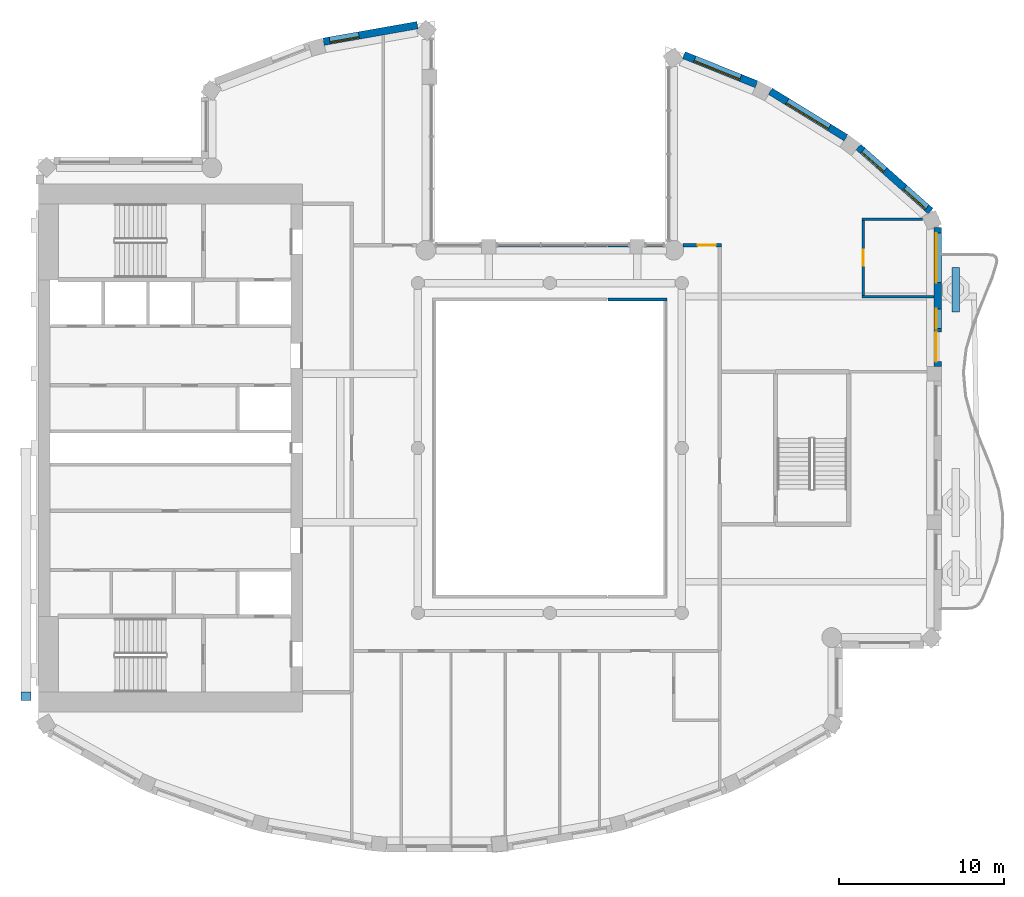
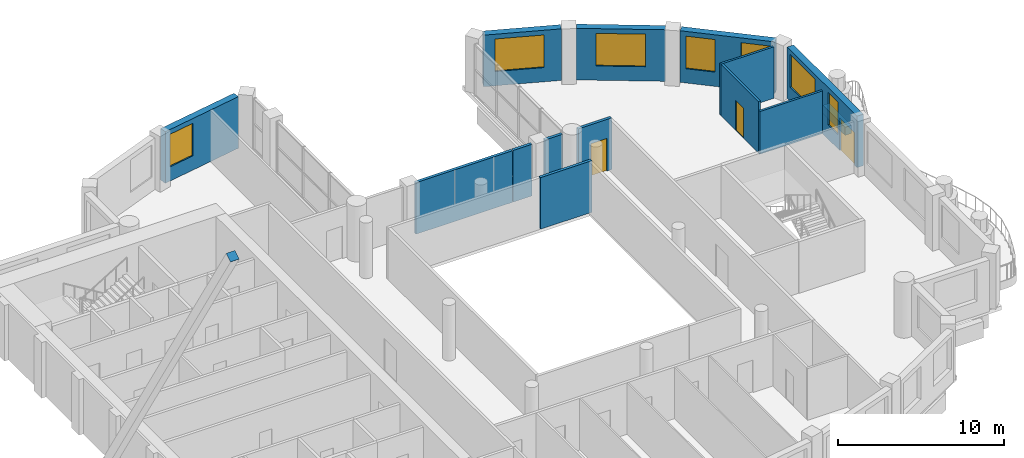
# One storey, part 7 of 15: 14 walls, 7 windows, 3 doors, 1 discrete accessory, 10 openings.
"""IFC4 building model written with IfcOpenShell, lengths in metres."""

from ifc_helpers import new_model, si_unit, direction, frame, frame_2d, origin, origin_2d, place, context, subcontext, project, spatial, rectangle, extrude, material, layer, layer_set, material_profile, profile_set, type_object, element, fill, save


model = new_model("IFC4")

# Units and contexts
model_context = context("Model", 3, precision=1e-05, world=origin(), true_north=direction((0.0, 1.0)))
body_context = subcontext(model_context, "Body", "Model", "MODEL_VIEW")
ifc_project = project(units=[si_unit("LENGTHUNIT", "METRE"), si_unit("AREAUNIT", "SQUARE_METRE"), si_unit("VOLUMEUNIT", "CUBIC_METRE"), si_unit("PLANEANGLEUNIT", "RADIAN"), si_unit("MASSUNIT", "GRAM", prefix="KILO")], contexts=[model_context])

# Site, building, storey
site_placement = place(None, origin())
site = spatial("IfcSite", under=ifc_project, at=site_placement, CompositionType="ELEMENT")
building_placement = place(site_placement, origin())
building = spatial("IfcBuilding", under=site, at=building_placement, Name="Cypress Arch Tower", CompositionType="ELEMENT")
storey_placement = place(building_placement, frame((0.0, 0.0, 313.10009765625)))
storey = spatial("IfcBuildingStorey", under=building, at=storey_placement, Name="L71", CompositionType="ELEMENT", Elevation=313.10009765625)

# Wall
ifc_material_1 = material(Name="Concrete C40/50, waterproofed", Category="concrete")
ifc_layer_1 = layer(ifc_material_1, 0.449951171875)
ifc_layer_set_1 = layer_set([ifc_layer_1], Name="Balcony planter wall PW450")
wall_type_1 = type_object("IfcWallType", Name="Balcony planter wall PW450", PredefinedType="SOLIDWALL", material=ifc_layer_set_1)
wall_1_placement = place(storey_placement, frame((25.60009765625, 8.25, 0.0), z_axis=(0.0, 0.0, 1.0), x_axis=(0.0, 1.0, 0.0)))
element("IfcWall", 1, at=wall_1_placement, inside=storey, type_object=wall_type_1, Name="Balcony planter wall L71-C17.3", PredefinedType="SOLIDWALL", context=body_context, shape_type="SweptSolid", body=[
    extrude(rectangle(XDim=2.699951171875, YDim=0.449951171875, at=frame_2d((1.35009765625, 0.0))), origin(), (0.0, 0.0, 1.0), 0.599853515625),
])

# Wall, opening, window
ifc_material_2 = material(Name="Brick (red buff blend)", Category="masonry")
ifc_layer_2 = layer(ifc_material_2, 0.449951171875)
ifc_layer_set_2 = layer_set([ifc_layer_2], Name="Brick pier and spandrel wall BW450")
wall_type_2 = type_object("IfcWallType", Name="Brick pier and spandrel wall BW450", PredefinedType="SOLIDWALL", material=ifc_layer_set_2)
wall_2_placement = place(storey_placement, frame((-7.028564453125, 25.63232421875, 0.0), z_axis=(0.0, 0.0, 1.0), x_axis=(-0.984797606634, -0.173705710808, 0.0)))
wall_2 = element("IfcWall", 2, at=wall_2_placement, inside=storey, type_object=wall_type_2, Name="Brick wall L71 C03.0", PredefinedType="SOLIDWALL", context=body_context, shape_type="SweptSolid", body=[
    extrude(rectangle(XDim=5.772216796875, YDim=0.449951171875, at=frame_2d((2.88623046875, 0.0))), origin(), (0.0, 0.0, 1.0), 3.7998046875),
])
opening_1_placement = place(wall_2_placement, frame((3.59326171875, 0.0, 1.050048828125)))
opening_1 = element("IfcOpeningElement", 3, at=opening_1_placement, cuts=wall_2, Name="Opening W180O", PredefinedType="OPENING", context=body_context, shape_type="SweptSolid", body=[
    extrude(rectangle(XDim=1.800048828125, YDim=2.39990234375, at=frame_2d((0.89990234375, 1.199951171875))), frame((0.0, 0.23486328125, 0.0), z_axis=(0.0, -1.0, 0.0), x_axis=(1.0, 0.0, 0.0)), (0.0, 0.0, 1.0), 0.469970703125),
])
ifc_material_3 = material(Name="Anodised aluminium, bronze finish, clear low-emissivity double glazing", Category="aluminium")
window_type_1 = type_object("IfcWindowType", Name="Window Office 1800x2400", PartitioningType="SINGLE_PANEL", PredefinedType="WINDOW", material=ifc_material_3)
window_1_placement = place(opening_1_placement, origin())
window_1 = element("IfcWindow", 4, at=window_1_placement, inside=storey, type_object=window_type_1, Name="Window L71 C03.0.2", OverallHeight=2.39990234375, OverallWidth=1.800048828125, PartitioningType="SINGLE_PANEL", PredefinedType="WINDOW", context=body_context, shape_type="SweptSolid", body=[
    extrude(rectangle(XDim=1.800048828125, YDim=2.39990234375, at=frame_2d((0.89990234375, 1.199951171875))), frame((0.0, 0.135009765625, 0.0), z_axis=(0.0, -1.0, 0.0), x_axis=(1.0, 0.0, 0.0)), (0.0, 0.0, 1.0), 0.06005859375),
])
fill(opening_1, window_1)

# Wall, openings, door, windows
wall_3_placement = place(storey_placement, frame((24.52490234375, 4.949951171875, 0.0), z_axis=(0.0, 0.0, 1.0), x_axis=(0.0, 1.0, 0.0)))
wall_3 = element("IfcWall", 5, at=wall_3_placement, inside=storey, type_object=wall_type_2, Name="Brick wall L71 C17.2", PredefinedType="SOLIDWALL", context=body_context, shape_type="SweptSolid", body=[
    extrude(rectangle(XDim=8.421875, YDim=0.449951171875, at=frame_2d((4.2109375, 0.0))), origin(), (0.0, 0.0, 1.0), 3.7998046875),
])
opening_2_placement = place(wall_3_placement, frame((0.291259765625, 0.0, 0.0)))
opening_2 = element("IfcOpeningElement", 6, at=opening_2_placement, cuts=wall_3, Name="Opening D-L71-C17.2.1", PredefinedType="OPENING", context=body_context, shape_type="SweptSolid", body=[
    extrude(rectangle(XDim=1.800048828125, YDim=2.39990234375, at=frame_2d((0.89990234375, 1.199951171875))), frame((0.0, 0.23486328125, 0.0), z_axis=(0.0, -1.0, 0.0), x_axis=(1.0, 0.0, 0.0)), (0.0, 0.0, 1.0), 0.469970703125),
])
opening_3_placement = place(wall_3_placement, frame((2.291259765625, 0.0, 1.050048828125)))
opening_3 = element("IfcOpeningElement", 7, at=opening_3_placement, cuts=wall_3, Name="Opening W120OD", PredefinedType="OPENING", context=body_context, shape_type="SweptSolid", body=[
    extrude(rectangle(XDim=1.199951171875, YDim=2.39990234375, at=frame_2d((0.60009765625, 1.199951171875))), frame((0.0, 0.23486328125, 0.0), z_axis=(0.0, -1.0, 0.0), x_axis=(1.0, 0.0, 0.0)), (0.0, 0.0, 1.0), 0.469970703125),
])
opening_4_placement = place(wall_3_placement, frame((5.073974609375, 0.0, 1.050048828125)))
opening_4 = element("IfcOpeningElement", 8, at=opening_4_placement, cuts=wall_3, Name="Opening W300OD", PredefinedType="OPENING", context=body_context, shape_type="SweptSolid", body=[
    extrude(rectangle(XDim=3.0, YDim=2.39990234375, at=frame_2d((1.5, 1.199951171875))), frame((0.0, 0.23486328125, 0.0), z_axis=(0.0, -1.0, 0.0), x_axis=(1.0, 0.0, 0.0)), (0.0, 0.0, 1.0), 0.469970703125),
])
ifc_material_4 = material(Name="Anodised aluminium, bronze finish, laminated low-emissivity double glazing, large-missile impact rated", Category="aluminium")
door_type_1 = type_object("IfcDoorType", Name="Balcony sliding door 1800x2400", OperationType="SLIDING_TO_LEFT", PredefinedType="DOOR", material=ifc_material_4)
door_1_placement = place(opening_2_placement, origin())
door_1 = element("IfcDoor", 9, at=door_1_placement, inside=storey, type_object=door_type_1, Name="Balcony door L71 C17.2.1", OperationType="SLIDING_TO_LEFT", OverallHeight=2.39990234375, OverallWidth=1.800048828125, PredefinedType="DOOR", context=body_context, shape_type="SweptSolid", body=[
    extrude(rectangle(XDim=1.800048828125, YDim=2.39990234375, at=frame_2d((0.89990234375, 1.199951171875))), frame((0.0, 0.1298828125, 0.0), z_axis=(0.0, -1.0, 0.0), x_axis=(1.0, 0.0, 0.0)), (0.0, 0.0, 1.0), 0.050048828125),
])
fill(opening_2, door_1)
ifc_material_5 = material(Name="Anodised aluminium, bronze finish, laminated low-emissivity double glazing, large-missile impact rated", Category="aluminium")
window_type_2 = type_object("IfcWindowType", Name="Window Office 1200x2400 debris-rated", PartitioningType="SINGLE_PANEL", PredefinedType="WINDOW", material=ifc_material_5)
window_2_placement = place(opening_3_placement, origin())
window_2 = element("IfcWindow", 10, at=window_2_placement, inside=storey, type_object=window_type_2, Name="Window L71 C17.2.1", OverallHeight=2.39990234375, OverallWidth=1.199951171875, PartitioningType="SINGLE_PANEL", PredefinedType="WINDOW", context=body_context, shape_type="SweptSolid", body=[
    extrude(rectangle(XDim=1.199951171875, YDim=2.39990234375, at=frame_2d((0.60009765625, 1.199951171875))), frame((0.0, 0.135009765625, 0.0), z_axis=(0.0, -1.0, 0.0), x_axis=(1.0, 0.0, 0.0)), (0.0, 0.0, 1.0), 0.06005859375),
])
fill(opening_3, window_2)
ifc_material_6 = material(Name="Anodised aluminium, bronze finish, laminated low-emissivity double glazing, large-missile impact rated", Category="aluminium")
window_type_3 = type_object("IfcWindowType", Name="Window Office 3000x2400 debris-rated", PartitioningType="SINGLE_PANEL", PredefinedType="WINDOW", material=ifc_material_6)
window_3_placement = place(opening_4_placement, origin())
window_3 = element("IfcWindow", 11, at=window_3_placement, inside=storey, type_object=window_type_3, Name="Window L71 C17.2.2", OverallHeight=2.39990234375, OverallWidth=3.0, PartitioningType="SINGLE_PANEL", PredefinedType="WINDOW", context=body_context, shape_type="SweptSolid", body=[
    extrude(rectangle(XDim=3.0, YDim=2.39990234375, at=frame_2d((1.5, 1.199951171875))), frame((0.0, 0.135009765625, 0.0), z_axis=(0.0, -1.0, 0.0), x_axis=(1.0, 0.0, 0.0)), (0.0, 0.0, 1.0), 0.06005859375),
])
fill(opening_4, window_3)

# Wall, openings, windows
wall_4_placement = place(storey_placement, frame((24.08056640625, 14.361083984375, 0.0), z_axis=(0.0, 0.0, 1.0), x_axis=(-0.747570482973, 0.664182484704, 0.0)))
wall_4 = element("IfcWall", 12, at=wall_4_placement, inside=storey, type_object=wall_type_2, Name="Brick wall L71 C18.0", PredefinedType="SOLIDWALL", context=body_context, shape_type="SweptSolid", body=[
    extrude(rectangle(XDim=5.849609375, YDim=0.449951171875, at=frame_2d((2.9248046875, 0.0))), origin(), (0.0, 0.0, 1.0), 3.7998046875),
])
opening_5_placement = place(wall_4_placement, frame((0.305419921875, 0.0, 1.050048828125)))
opening_5 = element("IfcOpeningElement", 13, at=opening_5_placement, cuts=wall_4, Name="Opening W180O", PredefinedType="OPENING", context=body_context, shape_type="SweptSolid", body=[
    extrude(rectangle(XDim=1.800048828125, YDim=2.39990234375, at=frame_2d((0.89990234375, 1.199951171875))), frame((0.0, 0.23486328125, 0.0), z_axis=(0.0, -1.0, 0.0), x_axis=(1.0, 0.0, 0.0)), (0.0, 0.0, 1.0), 0.469970703125),
])
opening_6_placement = place(wall_4_placement, frame((3.702880859375, 0.0, 1.050048828125)))
opening_6 = element("IfcOpeningElement", 14, at=opening_6_placement, cuts=wall_4, Name="Opening W180O", PredefinedType="OPENING", context=body_context, shape_type="SweptSolid", body=[
    extrude(rectangle(XDim=1.800048828125, YDim=2.39990234375, at=frame_2d((0.89990234375, 1.199951171875))), frame((0.0, 0.23486328125, 0.0), z_axis=(0.0, -1.0, 0.0), x_axis=(1.0, 0.0, 0.0)), (0.0, 0.0, 1.0), 0.469970703125),
])
window_4_placement = place(opening_5_placement, origin())
window_4 = element("IfcWindow", 15, at=window_4_placement, inside=storey, type_object=window_type_1, Name="Window L71 C18.0.1", OverallHeight=2.39990234375, OverallWidth=1.800048828125, PartitioningType="SINGLE_PANEL", PredefinedType="WINDOW", context=body_context, shape_type="SweptSolid", body=[
    extrude(rectangle(XDim=1.800048828125, YDim=2.39990234375, at=frame_2d((0.89990234375, 1.199951171875))), frame((0.0, 0.135009765625, 0.0), z_axis=(0.0, -1.0, 0.0), x_axis=(1.0, 0.0, 0.0)), (0.0, 0.0, 1.0), 0.06005859375),
])
fill(opening_5, window_4)
window_5_placement = place(opening_6_placement, origin())
window_5 = element("IfcWindow", 16, at=window_5_placement, inside=storey, type_object=window_type_1, Name="Window L71 C18.0.2", OverallHeight=2.39990234375, OverallWidth=1.800048828125, PartitioningType="SINGLE_PANEL", PredefinedType="WINDOW", context=body_context, shape_type="SweptSolid", body=[
    extrude(rectangle(XDim=1.800048828125, YDim=2.39990234375, at=frame_2d((0.89990234375, 1.199951171875))), frame((0.0, 0.135009765625, 0.0), z_axis=(0.0, -1.0, 0.0), x_axis=(1.0, 0.0, 0.0)), (0.0, 0.0, 1.0), 0.06005859375),
])
fill(opening_6, window_5)

# Wall, opening, window
wall_5_placement = place(storey_placement, frame((18.953369140625, 18.806396484375, 0.0), z_axis=(0.0, 0.0, 1.0), x_axis=(-0.851860664503, 0.523768468193, 0.0)))
wall_5 = element("IfcWall", 17, at=wall_5_placement, inside=storey, type_object=wall_type_2, Name="Brick wall L71 C19.0", PredefinedType="SOLIDWALL", context=body_context, shape_type="SweptSolid", body=[
    extrude(rectangle(XDim=5.3837890625, YDim=0.449951171875, at=frame_2d((2.69189453125, 0.0))), origin(), (0.0, 0.0, 1.0), 3.7998046875),
])
opening_7_placement = place(wall_5_placement, frame((1.19189453125, 0.0, 1.050048828125)))
opening_7 = element("IfcOpeningElement", 18, at=opening_7_placement, cuts=wall_5, Name="Opening W300O", PredefinedType="OPENING", context=body_context, shape_type="SweptSolid", body=[
    extrude(rectangle(XDim=3.0, YDim=2.39990234375, at=frame_2d((1.5, 1.199951171875))), frame((0.0, 0.23486328125, 0.0), z_axis=(0.0, -1.0, 0.0), x_axis=(1.0, 0.0, 0.0)), (0.0, 0.0, 1.0), 0.469970703125),
])
ifc_material_7 = material(Name="Anodised aluminium, bronze finish, clear low-emissivity double glazing", Category="aluminium")
window_type_4 = type_object("IfcWindowType", Name="Window Office 3000x2400", PartitioningType="SINGLE_PANEL", PredefinedType="WINDOW", material=ifc_material_7)
window_6_placement = place(opening_7_placement, origin())
window_6 = element("IfcWindow", 19, at=window_6_placement, inside=storey, type_object=window_type_4, Name="Window L71 C19.0.1", OverallHeight=2.39990234375, OverallWidth=3.0, PartitioningType="SINGLE_PANEL", PredefinedType="WINDOW", context=body_context, shape_type="SweptSolid", body=[
    extrude(rectangle(XDim=3.0, YDim=2.39990234375, at=frame_2d((1.5, 1.199951171875))), frame((0.0, 0.135009765625, 0.0), z_axis=(0.0, -1.0, 0.0), x_axis=(1.0, 0.0, 0.0)), (0.0, 0.0, 1.0), 0.06005859375),
])
fill(opening_7, window_6)

wall_6_placement = place(storey_placement, frame((13.529296875, 22.04833984375, 0.0), z_axis=(0.0, 0.0, 1.0), x_axis=(-0.927957332619, 0.372686448424, 0.0)))
wall_6 = element("IfcWall", 20, at=wall_6_placement, inside=storey, type_object=wall_type_2, Name="Brick wall L71 C20.0", PredefinedType="SOLIDWALL", context=body_context, shape_type="SweptSolid", body=[
    extrude(rectangle(XDim=4.741455078125, YDim=0.449951171875, at=frame_2d((2.37060546875, 0.0))), origin(), (0.0, 0.0, 1.0), 3.7998046875),
])
opening_8_placement = place(wall_6_placement, frame((1.046630859375, 0.0, 1.050048828125)))
opening_8 = element("IfcOpeningElement", 21, at=opening_8_placement, cuts=wall_6, Name="Opening W300O", PredefinedType="OPENING", context=body_context, shape_type="SweptSolid", body=[
    extrude(rectangle(XDim=3.0, YDim=2.39990234375, at=frame_2d((1.5, 1.199951171875))), frame((0.0, 0.23486328125, 0.0), z_axis=(0.0, -1.0, 0.0), x_axis=(1.0, 0.0, 0.0)), (0.0, 0.0, 1.0), 0.469970703125),
])
window_7_placement = place(opening_8_placement, origin())
window_7 = element("IfcWindow", 22, at=window_7_placement, inside=storey, type_object=window_type_4, Name="Window L71 C20.0.1", OverallHeight=2.39990234375, OverallWidth=3.0, PartitioningType="SINGLE_PANEL", PredefinedType="WINDOW", context=body_context, shape_type="SweptSolid", body=[
    extrude(rectangle(XDim=3.0, YDim=2.39990234375, at=frame_2d((1.5, 1.199951171875))), frame((0.0, 0.135009765625, 0.0), z_axis=(0.0, -1.0, 0.0), x_axis=(1.0, 0.0, 0.0)), (0.0, 0.0, 1.0), 0.06005859375),
])
fill(opening_8, window_7)

# Walls
ifc_material_8 = material(Name="Concrete blockwork, plastered, rated", Category="masonry")
ifc_layer_3 = layer(ifc_material_8, 0.199951171875)
ifc_layer_set_3 = layer_set([ifc_layer_3], Name="Corridor wall FW200")
wall_type_3 = type_object("IfcWallType", Name="Corridor wall FW200", PredefinedType="PARTITIONING", material=ifc_layer_set_3)
wall_7_placement = place(storey_placement, frame((-2.25, 12.300048828125, 0.0), z_axis=(0.0, 0.0, 1.0), x_axis=(1.0, 0.0, 0.0)))
element("IfcWall", 23, at=wall_7_placement, inside=storey, type_object=wall_type_3, Name="Corridor wall", PredefinedType="PARTITIONING", context=body_context, shape_type="SweptSolid", body=[
    extrude(rectangle(XDim=6.72998046875, YDim=0.199951171875, at=frame_2d((3.364990234375, 0.0))), origin(), (0.0, 0.0, 1.0), 3.7998046875),
])
wall_8_placement = place(storey_placement, frame((4.52001953125, 9.0, 0.0), z_axis=(0.0, 0.0, 1.0), x_axis=(1.0, 0.0, 0.0)))
element("IfcWall", 24, at=wall_8_placement, inside=storey, type_object=wall_type_3, Name="Corridor wall", PredefinedType="PARTITIONING", context=body_context, shape_type="SweptSolid", body=[
    extrude(rectangle(XDim=3.580078125, YDim=0.199951171875, at=frame_2d((1.7900390625, 0.0))), origin(), (0.0, 0.0, 1.0), 3.7998046875),
])
wall_9_placement = place(storey_placement, frame((4.52001953125, 12.300048828125, 0.0), z_axis=(0.0, 0.0, 1.0), x_axis=(1.0, 0.0, 0.0)))
element("IfcWall", 25, at=wall_9_placement, inside=storey, type_object=wall_type_3, Name="Corridor wall", PredefinedType="PARTITIONING", context=body_context, shape_type="SweptSolid", body=[
    extrude(rectangle(XDim=1.330078125, YDim=0.199951171875, at=frame_2d((0.6650390625, 0.0))), origin(), (0.0, 0.0, 1.0), 3.7998046875),
])
wall_10_placement = place(storey_placement, frame((6.75, 12.300048828125, 0.0), z_axis=(0.0, 0.0, 1.0), x_axis=(1.0, 0.0, 0.0)))
element("IfcWall", 26, at=wall_10_placement, inside=storey, type_object=wall_type_3, Name="Corridor wall", PredefinedType="PARTITIONING", context=body_context, shape_type="SweptSolid", body=[
    extrude(rectangle(XDim=1.2119140625, YDim=0.199951171875, at=frame_2d((0.60595703125, 0.0))), origin(), (0.0, 0.0, 1.0), 3.7998046875),
])

# Wall, opening, door
wall_11_placement = place(storey_placement, frame((9.062255859375, 12.300048828125, 0.0), z_axis=(0.0, 0.0, 1.0), x_axis=(1.0, 0.0, 0.0)))
wall_11 = element("IfcWall", 27, at=wall_11_placement, inside=storey, type_object=wall_type_3, Name="Corridor wall", PredefinedType="PARTITIONING", context=body_context, shape_type="SweptSolid", body=[
    extrude(rectangle(XDim=2.337646484375, YDim=0.199951171875, at=frame_2d((1.1689453125, 0.0))), origin(), (0.0, 0.0, 1.0), 3.7998046875),
])
opening_9_placement = place(wall_11_placement, frame((0.89990234375, 0.0, 0.0)))
opening_9 = element("IfcOpeningElement", 28, at=opening_9_placement, cuts=wall_11, Name="Opening D01", PredefinedType="OPENING", context=body_context, shape_type="SweptSolid", body=[
    extrude(rectangle(XDim=1.10009765625, YDim=2.39990234375, at=frame_2d((0.550048828125, 1.199951171875))), frame((0.0, 0.10986328125, 0.0), z_axis=(0.0, -1.0, 0.0), x_axis=(1.0, 0.0, 0.0)), (0.0, 0.0, 1.0), 0.219970703125),
])
ifc_material_9 = material(Name="Timber flush door, fire resisting, self-closing", Category="wood")
door_type_2 = type_object("IfcDoorType", Name="Unit entrance door D01 1100x2400", OperationType="SINGLE_SWING_LEFT", PredefinedType="DOOR", material=ifc_material_9)
door_2_placement = place(opening_9_placement, origin())
door_2 = element("IfcDoor", 29, at=door_2_placement, inside=storey, type_object=door_type_2, Name="Unit entrance door", OperationType="SINGLE_SWING_LEFT", OverallHeight=2.39990234375, OverallWidth=1.10009765625, PredefinedType="DOOR", context=body_context, shape_type="SweptSolid", body=[
    extrude(rectangle(XDim=1.10009765625, YDim=2.39990234375, at=frame_2d((0.550048828125, 1.199951171875))), frame((0.0, 0.02490234375, 0.0), z_axis=(0.0, -1.0, 0.0), x_axis=(1.0, 0.0, 0.0)), (0.0, 0.0, 1.0), 0.050048828125),
])
fill(opening_9, door_2)

ifc_material_10 = material(Name="Blockwork, plastered both sides", Category="masonry")
ifc_layer_4 = layer(ifc_material_10, 0.14990234375)
ifc_layer_set_4 = layer_set([ifc_layer_4], Name="Partition PW150")
wall_type_4 = type_object("IfcWallType", Name="Partition PW150", PredefinedType="PARTITIONING", material=ifc_layer_set_4)
wall_12_placement = place(storey_placement, frame((20.0, 9.258056640625, 0.0), z_axis=(0.0, 0.0, 1.0), x_axis=(0.0, 1.0, 0.0)))
wall_12 = element("IfcWall", 30, at=wall_12_placement, inside=storey, type_object=wall_type_4, Name="Partition", PredefinedType="PARTITIONING", context=body_context, shape_type="SweptSolid", body=[
    extrude(rectangle(XDim=4.531982421875, YDim=0.14990234375, at=frame_2d((2.26611328125, 0.0))), origin(), (0.0, 0.0, 1.0), 3.7998046875),
])
opening_10_placement = place(wall_12_placement, frame((1.800048828125, 0.0, 0.0)))
opening_10 = element("IfcOpeningElement", 31, at=opening_10_placement, cuts=wall_12, Name="Opening D12", PredefinedType="OPENING", context=body_context, shape_type="SweptSolid", body=[
    extrude(rectangle(XDim=0.949951171875, YDim=2.199951171875, at=frame_2d((0.47509765625, 1.10009765625))), frame((0.0, 0.0849609375, 0.0), z_axis=(0.0, -1.0, 0.0), x_axis=(1.0, 0.0, 0.0)), (0.0, 0.0, 1.0), 0.169921875),
])
ifc_material_11 = material(Name="Timber flush door", Category="wood")
door_type_3 = type_object("IfcDoorType", Name="Room door D12 950x2200", OperationType="SINGLE_SWING_LEFT", PredefinedType="DOOR", material=ifc_material_11)
door_3_placement = place(opening_10_placement, origin())
door_3 = element("IfcDoor", 32, at=door_3_placement, inside=storey, type_object=door_type_3, Name="Room door", OperationType="SINGLE_SWING_RIGHT", OverallHeight=2.199951171875, OverallWidth=0.949951171875, PredefinedType="DOOR", context=body_context, shape_type="SweptSolid", body=[
    extrude(rectangle(XDim=0.949951171875, YDim=2.199951171875, at=frame_2d((0.47509765625, 1.10009765625))), frame((0.0, 0.02490234375, 0.0), z_axis=(0.0, -1.0, 0.0), x_axis=(1.0, 0.0, 0.0)), (0.0, 0.0, 1.0), 0.050048828125),
])
fill(opening_10, door_3)

# Walls
wall_13_placement = place(storey_placement, frame((19.925048828125, 9.18310546875, 0.0), z_axis=(0.0, 0.0, 1.0), x_axis=(1.0, 0.0, 0.0)))
element("IfcWall", 33, at=wall_13_placement, inside=storey, type_object=wall_type_4, Name="Partition", PredefinedType="PARTITIONING", context=body_context, shape_type="SweptSolid", body=[
    extrude(rectangle(XDim=4.375, YDim=0.14990234375, at=frame_2d((2.1875, 0.0))), origin(), (0.0, 0.0, 1.0), 3.14990234375),
])
wall_14_placement = place(storey_placement, frame((19.925048828125, 13.864990234375, 0.0), z_axis=(0.0, 0.0, 1.0), x_axis=(1.0, 0.0, 0.0)))
element("IfcWall", 34, at=wall_14_placement, inside=storey, type_object=wall_type_4, Name="Partition", PredefinedType="PARTITIONING", context=body_context, shape_type="SweptSolid", body=[
    extrude(rectangle(XDim=3.677734375, YDim=0.14990234375, at=frame_2d((1.8388671875, 0.0))), origin(), (0.0, 0.0, 1.0), 3.7998046875),
])

# Discrete accessory
ifc_material_12 = material(Name="Steel ASTM A992", Category="steel")
ifc_material_profile = material_profile(ifc_material_12, rectangle(XDim=0.609619140625, YDim=0.609619140625, at=origin_2d()), Name="PL 20 610x610")
ifc_profile_set = profile_set([ifc_material_profile], Name="Steel ASTM A992")
discrete_accessory_type = type_object("IfcDiscreteAccessoryType", Name="End cap plate 610x610x20 Steel ASTM A992", PredefinedType="ANCHORPLATE", material=ifc_profile_set)
discrete_accessory_placement = place(storey_placement, frame((-30.7548828125, -15.036376953125, 24.87060546875), z_axis=(0.0, -0.523418105875, 0.852075986308), x_axis=(1.0, 0.0, 0.0)))
element("IfcDiscreteAccessory", 35, at=discrete_accessory_placement, inside=storey, type_object=discrete_accessory_type, Name="End cap plate west bracing 6", PredefinedType="ANCHORPLATE", context=body_context, shape_type="SweptSolid", body=[
    extrude(rectangle(XDim=0.609619140625, YDim=0.609619140625, at=origin_2d()), origin(), (0.0, 0.0, 1.0), 0.02001953125),
])

save(model, "model.ifc")
